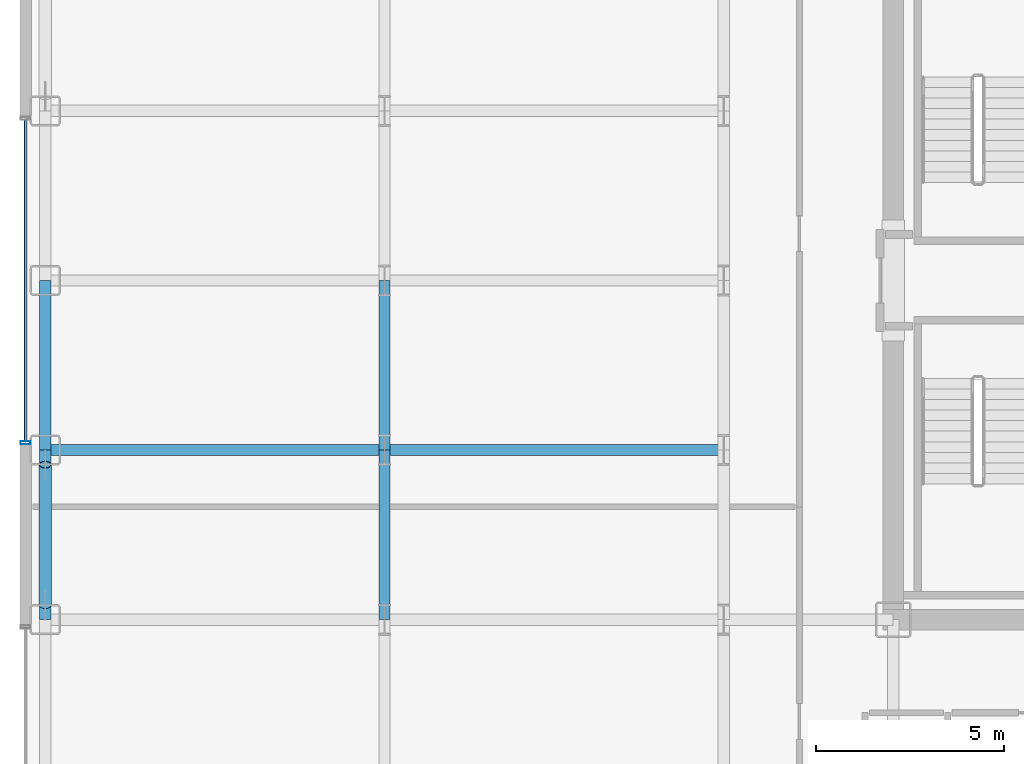
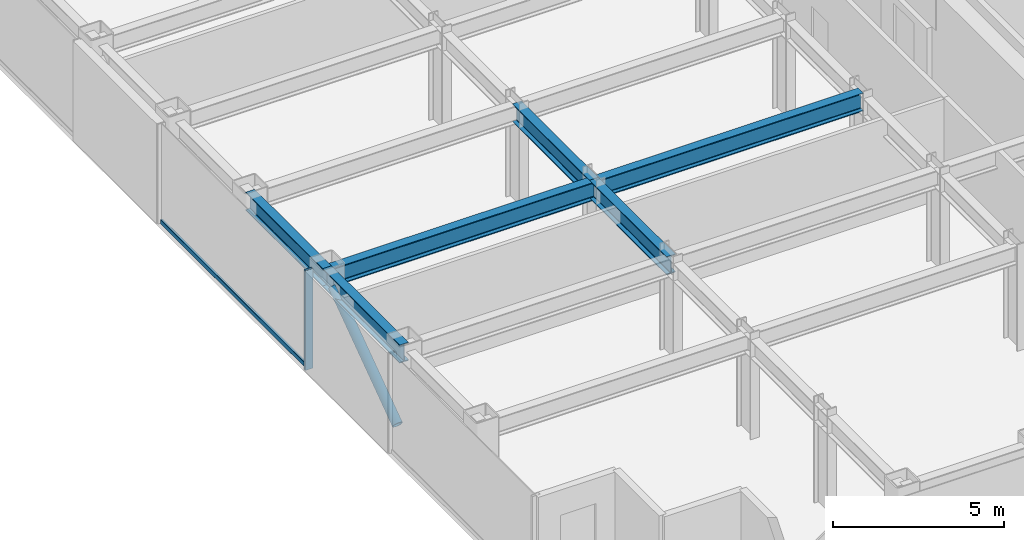
# One storey, part 6 of 26: 6 beams, 3 members, 1 element without a shape of its own.
"""IFC4 building model written with IfcOpenShell, lengths in metres."""

import ifcopenshell
import ifcopenshell.guid

model = None  # the IFC model being written
_history = None  # IfcOwnerHistory: only IFC2X3 demands one
_inside = {}  # id of a spatial element -> (the spatial element, [elements in it])
_under = {}  # id of a project, library or spatial element -> (it, [spatial elements below it])
_declared = {}  # id of a project -> (the project, [libraries it declares])
_typed = {}  # id of a type object -> (the type object, [elements of that type])
_made_of = {}  # id of a material, layer set ... -> (it, [elements and type objects made of it])


def new_model(schema):
    """Start an empty IFC model of exactly this schema.

    Asked for "IFC4X3", IfcOpenShell would pick the latest addendum, in which some entities
    have other attributes; the version numbers below select the first issue.
    IFC2X3 requires an IfcOwnerHistory on every rooted entity: one is made here for all.
    """
    global model, _history
    if schema == "IFC4X3":
        model = ifcopenshell.file(schema_version=(4, 3, 0, 0))
    else:
        model = ifcopenshell.file(schema=schema)
    _inside.clear()
    _under.clear()
    _declared.clear()
    _typed.clear()
    _made_of.clear()
    _history = None
    if model.schema == "IFC2X3":
        org = make("IfcOrganization", Name="unknown")
        user = make(
            "IfcPersonAndOrganization",
            ThePerson=make("IfcPerson", FamilyName="unknown"),
            TheOrganization=org,
        )
        app = make(
            "IfcApplication",
            ApplicationDeveloper=org,
            Version="unknown",
            ApplicationFullName="unknown",
            ApplicationIdentifier="unknown",
        )
        _history = make(
            "IfcOwnerHistory",
            OwningUser=user,
            OwningApplication=app,
            ChangeAction="ADDED",
            CreationDate=0,
        )
    return model


def make(cls, **values):
    """One entity of the class cls with the attributes given. An attribute that is None is left unset."""
    return model.create_entity(
        cls, **{name: value for name, value in values.items() if value is not None}
    )


def rooted(cls, **values):
    """An entity with a GlobalId (a new one), such as an element, a storey or a relation."""
    return make(cls, GlobalId=ifcopenshell.guid.new(), OwnerHistory=_history, **values)


def si_unit(unit_type, name, prefix=None):
    """IfcSIUnit, for example si_unit("LENGTHUNIT", "METRE", prefix="MILLI")."""
    return make("IfcSIUnit", UnitType=unit_type, Prefix=prefix, Name=name)


def assignment(units):
    """IfcUnitAssignment: the units of a project."""
    return None if units is None else make("IfcUnitAssignment", Units=units)


def point(xyz):
    """IfcCartesianPoint."""
    return None if xyz is None else make("IfcCartesianPoint", Coordinates=xyz)


def direction(xyz):
    """IfcDirection."""
    return None if xyz is None else make("IfcDirection", DirectionRatios=xyz)


def frame(location, z_axis=None, x_axis=None):
    """IfcAxis2Placement3D, a coordinate frame: its origin and axes. An axis left out is left unset."""
    return make(
        "IfcAxis2Placement3D",
        Location=point(location),
        Axis=direction(z_axis),
        RefDirection=direction(x_axis),
    )


def frame_2d(location, x_axis=None):
    """IfcAxis2Placement2D, a coordinate frame in the plane: its origin and x axis."""
    return make(
        "IfcAxis2Placement2D", Location=point(location), RefDirection=direction(x_axis)
    )


def origin():
    """The frame at (0, 0, 0) with its axes left unset."""
    return frame((0.0, 0.0, 0.0))


def origin_2d():
    """The frame at (0, 0) in the plane with its x axis left unset."""
    return frame_2d((0.0, 0.0))


def place(relative_to, where):
    """IfcLocalPlacement: puts the frame where relative to a parent placement (None: the world)."""
    return make(
        "IfcLocalPlacement", PlacementRelTo=relative_to, RelativePlacement=where
    )


def context(
    kind, dimensions, precision=None, world=None, true_north=None, identifier=None
):
    """IfcGeometricRepresentationContext, for example the 3D "Model" context."""
    return make(
        "IfcGeometricRepresentationContext",
        ContextIdentifier=identifier,
        ContextType=kind,
        CoordinateSpaceDimension=dimensions,
        Precision=precision,
        WorldCoordinateSystem=world,
        TrueNorth=true_north,
    )


def subcontext(parent, identifier, kind, view, scale=None):
    """IfcGeometricRepresentationSubContext, for example "Body" below "Model"."""
    return make(
        "IfcGeometricRepresentationSubContext",
        ContextIdentifier=identifier,
        ContextType=kind,
        ParentContext=parent,
        TargetScale=scale,
        TargetView=view,
    )


def project(units=None, contexts=None):
    """IfcProject with its units and contexts."""
    return rooted(
        "IfcProject",
        Name="project",
        RepresentationContexts=contexts,
        UnitsInContext=assignment(units),
    )


def spatial(cls, under=None, at=None, **own):
    """A site, building, storey or space (cls), placed at a placement, below another one or the project."""
    s = rooted(cls, ObjectPlacement=at, **own)
    if under is not None:
        _under.setdefault(under.id(), (under, []))[1].append(s)
    return s


def profile(cls, at=None, kind="AREA", **sizes):
    """A parametric profile (cls). Its sizes go by their IFC names, for example OverallWidth=200.0."""
    return make(cls, ProfileType=kind, Position=at, **sizes)


def hollow_rectangle(**sizes):
    """IfcRectangleHollowProfileDef."""
    return profile("IfcRectangleHollowProfileDef", **sizes)


def hollow_circle(**sizes):
    """IfcCircleHollowProfileDef."""
    return profile("IfcCircleHollowProfileDef", **sizes)


def i_section(**sizes):
    """IfcIShapeProfileDef."""
    return profile("IfcIShapeProfileDef", **sizes)


def extrude(swept, where, along, depth):
    """IfcExtrudedAreaSolid: the profile swept, set in the frame where, extruded along a direction by depth."""
    return make(
        "IfcExtrudedAreaSolid",
        SweptArea=swept,
        Position=where,
        ExtrudedDirection=direction(along),
        Depth=depth,
    )


def shape(context_of_items, identifier, shape_type, items):
    """IfcShapeRepresentation: the items that make up one representation, for example the "Body"."""
    return make(
        "IfcShapeRepresentation",
        ContextOfItems=context_of_items,
        RepresentationIdentifier=identifier,
        RepresentationType=shape_type,
        Items=items,
    )


def source(mapping_origin, context_of_items, identifier, shape_type, items):
    """IfcRepresentationMap: a shape defined once, which mapped items show again and again."""
    return make(
        "IfcRepresentationMap",
        MappingOrigin=mapping_origin,
        MappedRepresentation=shape(context_of_items, identifier, shape_type, items),
    )


def transform(
    local_origin,
    x_axis=None,
    y_axis=None,
    z_axis=None,
    scale=None,
    scale2=None,
    scale3=None,
    uniform=True,
):
    """IfcCartesianTransformationOperator3D, or its non-uniform kind. x_axis, y_axis, z_axis: its Axis1, 2, 3."""
    if uniform:
        return make(
            "IfcCartesianTransformationOperator3D",
            Axis1=direction(x_axis),
            Axis2=direction(y_axis),
            LocalOrigin=point(local_origin),
            Scale=scale,
            Axis3=direction(z_axis),
        )
    return make(
        "IfcCartesianTransformationOperator3DnonUniform",
        Axis1=direction(x_axis),
        Axis2=direction(y_axis),
        LocalOrigin=point(local_origin),
        Scale=scale,
        Axis3=direction(z_axis),
        Scale2=scale2,
        Scale3=scale3,
    )


def mapped(mapping_source, mapping_target):
    """IfcMappedItem: shows the shape of a source again, moved by a transform."""
    return make(
        "IfcMappedItem", MappingSource=mapping_source, MappingTarget=mapping_target
    )


def material(Name=None, Category=None):
    """IfcMaterial."""
    return make("IfcMaterial", Name=Name, Category=Category)


def layer(
    of_material, thickness, ventilated=None, Name=None, Category=None, Priority=None
):
    """IfcMaterialLayer: one layer of a wall or slab, of a material (None: an air gap)."""
    return make(
        "IfcMaterialLayer",
        Material=of_material,
        LayerThickness=thickness,
        IsVentilated=ventilated,
        Name=Name,
        Category=Category,
        Priority=Priority,
    )


def layer_set(layers, Name=None):
    """IfcMaterialLayerSet."""
    return make("IfcMaterialLayerSet", MaterialLayers=layers, LayerSetName=Name)


def material_profile(
    of_material, cross_section, Name=None, Category=None, Priority=None
):
    """IfcMaterialProfile: a cross section and its material."""
    return make(
        "IfcMaterialProfile",
        Name=Name,
        Material=of_material,
        Profile=cross_section,
        Priority=Priority,
        Category=Category,
    )


def profile_set(profiles, Name=None, composite=None):
    """IfcMaterialProfileSet."""
    return make(
        "IfcMaterialProfileSet",
        Name=Name,
        MaterialProfiles=profiles,
        CompositeProfile=composite,
    )


def made_of(thing, what):
    """Note that an element or type object is made of a material, layer set ...; save() writes the relation."""
    if what is not None:
        _made_of.setdefault(what.id(), (what, []))[1].append(thing)
    return thing


def type_object(cls, material=None, **own):
    """A type object (cls), such as IfcWallType, which elements share."""
    return made_of(rooted(cls, **own), material)


def element(
    cls,
    number,
    at=None,
    inside=None,
    cuts=None,
    type_object=None,
    material=None,
    context=None,
    identifier="Body",
    shape_type=None,
    held_by="IfcProductDefinitionShape",
    body=None,
    shapes=None,
    **own,
):
    """One element of the class cls, such as IfcWall. Its Tag is "e" and its number.

    at: its placement. inside: the storey or other place that contains it. cuts: it is an
    opening in that element (IfcRelVoidsElement). A single representation is given by context,
    identifier, shape_type and body (its items); several are given by shapes. held_by: the class
    of the entity that holds the representations. save() writes the other relations.
    """
    e = rooted(cls, Tag="e%d" % number, ObjectPlacement=at, **own)
    if body is not None:
        shapes = [shape(context, identifier, shape_type, body)]
    if shapes is not None:
        e.Representation = make(held_by, Representations=shapes)
    if inside is not None:
        _inside.setdefault(inside.id(), (inside, []))[1].append(e)
    if cuts is not None:
        rooted(
            "IfcRelVoidsElement", RelatingBuildingElement=cuts, RelatedOpeningElement=e
        )
    if type_object is not None:
        _typed.setdefault(type_object.id(), (type_object, []))[1].append(e)
    return made_of(e, material)


def aggregate(whole, parts):
    """IfcRelAggregates: a whole, such as a stair, and the parts it consists of."""
    return rooted("IfcRelAggregates", RelatingObject=whole, RelatedObjects=parts)


def save(model, path):
    """Write the relations noted so far, then the file.

    IfcRelAggregates (storeys below a building ...), IfcRelContainedInSpatialStructure (elements
    in a storey), IfcRelDefinesByType, IfcRelAssociatesMaterial and IfcRelDeclares: one each for
    every whole, place, type object, material and project.
    """
    for whole, parts in _under.values():
        aggregate(whole, parts)
    for where, things in _inside.values():
        rooted(
            "IfcRelContainedInSpatialStructure",
            RelatedElements=things,
            RelatingStructure=where,
        )
    for kind, things in _typed.values():
        rooted("IfcRelDefinesByType", RelatedObjects=things, RelatingType=kind)
    for what, things in _made_of.values():
        rooted("IfcRelAssociatesMaterial", RelatedObjects=things, RelatingMaterial=what)
    for by, libraries in _declared.values():
        rooted("IfcRelDeclares", RelatingContext=by, RelatedDefinitions=libraries)
    model.write(path)


model = new_model("IFC4")

# Units and contexts
model_context = context("Model", 3, precision=1e-05, world=origin(), true_north=direction((0.0, 1.0)))
body_context = subcontext(model_context, "Body", "Model", "MODEL_VIEW")
ifc_project = project(units=[si_unit("LENGTHUNIT", "METRE"), si_unit("AREAUNIT", "SQUARE_METRE"), si_unit("VOLUMEUNIT", "CUBIC_METRE"), si_unit("PLANEANGLEUNIT", "RADIAN"), si_unit("MASSUNIT", "GRAM", prefix="KILO")], contexts=[model_context])

# Site, building, storey
site_placement = place(None, origin())
site = spatial("IfcSite", under=ifc_project, at=site_placement, CompositionType="ELEMENT")
building_placement = place(site_placement, origin())
building = spatial("IfcBuilding", under=site, at=building_placement, Name="Nefas-Gora Pilgrimage Tower", CompositionType="ELEMENT")
storey_placement = place(building_placement, frame((0.0, 0.0, 171.60009765625)))
storey = spatial("IfcBuildingStorey", under=building, at=storey_placement, Name="L42", CompositionType="ELEMENT", Elevation=171.60009765625)

# Beams
ifc_material_1 = material(Name="Steel S355", Category="steel")
ifc_material_profile_1 = material_profile(ifc_material_1, i_section(OverallWidth=0.300048828125, OverallDepth=0.64990234375, WebThickness=0.01611328125, FlangeThickness=0.031005859375, FilletRadius=0.027099609375, at=origin_2d()), Name="HEB 650")
ifc_profile_set_1 = profile_set([ifc_material_profile_1], Name="Steel S355")
beam_type_1 = type_object("IfcBeamType", Name="BM-SPN-HEB500", PredefinedType="SPANDREL", material=ifc_profile_set_1)
shared_shape_1 = source(origin(), body_context, "Body", "SweptSolid", [
    extrude(i_section(OverallWidth=0.300048828125, OverallDepth=0.64990234375, WebThickness=0.01611328125, FlangeThickness=0.031005859375, FilletRadius=0.027099609375, at=origin_2d()), origin(), (0.0, 0.0, 1.0), 4.5),
])
for number, where, z_axis, x_axis, name in (
    (1, (-33.75, -9.0, 3.224853515625), (0.0, 1.0, 0.0), (-1.0, 0.0, 0.0), "L42 SP-02 beam"),
    (2, (-33.75, -4.5, 3.224853515625), (0.0, 1.0, 0.0), (-1.0, 0.0, 0.0), "L42 SP-02 beam"),
):
    element("IfcBeam", number, at=place(storey_placement, frame(where, z_axis=z_axis, x_axis=x_axis)), inside=storey, type_object=beam_type_1, Name=name, PredefinedType="SPANDREL", context=body_context, shape_type="MappedRepresentation", body=[
        mapped(shared_shape_1, transform((0.0, 0.0, 0.0), x_axis=(1.0, 0.0, 0.0), y_axis=(0.0, 1.0, 0.0), z_axis=(0.0, 0.0, 1.0), scale=1.0)),
    ])
ifc_material_profile_2 = material_profile(ifc_material_1, i_section(OverallWidth=0.300048828125, OverallDepth=0.64990234375, WebThickness=0.01611328125, FlangeThickness=0.031005859375, FilletRadius=0.027099609375, at=origin_2d()), Name="HEB 650")
ifc_profile_set_2 = profile_set([ifc_material_profile_2], Name="Steel S355")
beam_type_2 = type_object("IfcBeamType", Name="BM-GIR-HEB650", PredefinedType="BEAM", material=ifc_profile_set_2)
shared_shape_2 = source(origin(), body_context, "Body", "SweptSolid", [
    extrude(i_section(OverallWidth=0.300048828125, OverallDepth=0.64990234375, WebThickness=0.01611328125, FlangeThickness=0.031005859375, FilletRadius=0.027099609375, at=origin_2d()), origin(), (0.0, 0.0, 1.0), 9.0),
])
for number, where, z_axis, x_axis, name in (
    (3, (-33.75, -4.5, 3.224853515625), (1.0, 0.0, 0.0), (0.0, 1.0, 0.0), "L42 G-03 beam"),
    (4, (-24.75, -4.5, 3.224853515625), (1.0, 0.0, 0.0), (0.0, 1.0, 0.0), "L42 G-03 beam"),
):
    element("IfcBeam", number, at=place(storey_placement, frame(where, z_axis=z_axis, x_axis=x_axis)), inside=storey, type_object=beam_type_2, Name=name, PredefinedType="BEAM", context=body_context, shape_type="MappedRepresentation", body=[
        mapped(shared_shape_2, transform((0.0, 0.0, 0.0), x_axis=(1.0, 0.0, 0.0), y_axis=(0.0, 1.0, 0.0), z_axis=(0.0, 0.0, 1.0), scale=1.0)),
    ])
shared_shape_3 = source(origin(), body_context, "Body", "SweptSolid", [
    extrude(i_section(OverallWidth=0.300048828125, OverallDepth=0.64990234375, WebThickness=0.01611328125, FlangeThickness=0.031005859375, FilletRadius=0.027099609375, at=origin_2d()), origin(), (0.0, 0.0, 1.0), 4.5),
])
for number, where, z_axis, x_axis, name in (
    (5, (-24.75, -9.0, 3.224853515625), (0.0, 1.0, 0.0), (-1.0, 0.0, 0.0), "L42 G-03 beam"),
    (6, (-24.75, -4.5, 3.224853515625), (0.0, 1.0, 0.0), (-1.0, 0.0, 0.0), "L42 G-03 beam"),
):
    element("IfcBeam", number, at=place(storey_placement, frame(where, z_axis=z_axis, x_axis=x_axis)), inside=storey, type_object=beam_type_2, Name=name, PredefinedType="BEAM", context=body_context, shape_type="MappedRepresentation", body=[
        mapped(shared_shape_3, transform((0.0, 0.0, 0.0), x_axis=(1.0, 0.0, 0.0), y_axis=(0.0, 1.0, 0.0), z_axis=(0.0, 0.0, 1.0), scale=1.0)),
    ])

# Member
ifc_material_profile_3 = material_profile(ifc_material_1, hollow_circle(Radius=0.161865234375, WallThickness=0.02001953125, at=origin_2d()), Name="CHS 323.9x20")
ifc_profile_set_3 = profile_set([ifc_material_profile_3], Name="Steel S355")
member_type_1 = type_object("IfcMemberType", Name="MEM-TUBE-324", PredefinedType="BRACE", material=ifc_profile_set_3)
shared_shape_4 = source(origin(), body_context, "Body", "SweptSolid", [
    extrude(hollow_circle(Radius=0.161865234375, WallThickness=0.02001953125, at=origin_2d()), origin(), (0.0, 0.0, 1.0), 4.579345703125),
])
member_1_placement = place(storey_placement, frame((-33.75, -8.612060546875, 0.427490234375), z_axis=(0.0, 0.813246879171, 0.581918820385), x_axis=(-1.0, 0.0, 0.0)))
element("IfcMember", 7, at=member_1_placement, inside=storey, type_object=member_type_1, Name="L42 Perimeter Tube Diagonal Brace W1", PredefinedType="BRACE", context=body_context, shape_type="MappedRepresentation", body=[
    mapped(shared_shape_4, transform((0.0, 0.0, 0.0), x_axis=(1.0, 0.0, 0.0), y_axis=(0.0, 1.0, 0.0), z_axis=(0.0, 0.0, 1.0), scale=1.0)),
])

# Curtain wall, members
ifc_material_2 = material(Name="Dark ceramic-fritted solar-control aluminium-glass curtain wall", Category="aluminium")
ifc_layer = layer(ifc_material_2, 0.219970703125)
ifc_layer_set = layer_set([ifc_layer], Name="Dark ceramic-fritted solar-control aluminium-glass curtain wall")
curtain_wall_type = type_object("IfcCurtainWallType", Name="CW-SYS-3", PredefinedType="NOTDEFINED", material=ifc_layer_set)
curtain_wall_placement = place(storey_placement, origin())
curtain_wall = element("IfcCurtainWall", 8, at=curtain_wall_placement, inside=storey, type_object=curtain_wall_type, Name="L42 Unitised Curtain Wall CW3", PredefinedType="NOTDEFINED")
ifc_material_3 = material(Name="Anodised architectural aluminium", Category="aluminium")
ifc_material_profile_4 = material_profile(ifc_material_3, hollow_rectangle(XDim=0.080078125, YDim=0.159912109375, WallThickness=0.00439453125, InnerFilletRadius=0.00439453125, OuterFilletRadius=0.009033203125, at=origin_2d()), Name="ALU TRANSOM 80x160")
ifc_profile_set_4 = profile_set([ifc_material_profile_4], Name="Anodised architectural aluminium")
member_type_2 = type_object("IfcMemberType", Name="CWM-TRN-3", PredefinedType="USERDEFINED", material=ifc_profile_set_4)
shared_shape_5 = source(origin(), body_context, "Body", "SweptSolid", [
    extrude(hollow_rectangle(XDim=0.080078125, YDim=0.159912109375, WallThickness=0.00439453125, InnerFilletRadius=0.00439453125, OuterFilletRadius=0.009033203125, at=origin_2d()), origin(), (0.0, 0.0, 1.0), 8.52001953125),
])
member_2_placement = place(storey_placement, frame((-34.27001953125, 4.260009765625, 0.0498046875), z_axis=(0.0, -1.0, 0.0), x_axis=(1.0, 0.0, 0.0)))
member_2 = element("IfcMember", 9, at=member_2_placement, type_object=member_type_2, Name="CW3 Spandrel Transom", ObjectType="TRANSOM", PredefinedType="USERDEFINED", context=body_context, shape_type="MappedRepresentation", body=[
    mapped(shared_shape_5, transform((0.0, 0.0, 0.0), x_axis=(1.0, 0.0, 0.0), y_axis=(0.0, 1.0, 0.0), z_axis=(0.0, 0.0, 1.0), scale=1.0)),
])
ifc_material_profile_5 = material_profile(ifc_material_3, hollow_rectangle(XDim=0.090087890625, YDim=0.260009765625, WallThickness=0.006103515625, InnerFilletRadius=0.006103515625, OuterFilletRadius=0.011962890625, at=origin_2d()), Name="ALU MULLION 90x260")
ifc_profile_set_5 = profile_set([ifc_material_profile_5], Name="Anodised architectural aluminium")
member_type_3 = type_object("IfcMemberType", Name="CWM-MUL-3", PredefinedType="MULLION", material=ifc_profile_set_5)
shared_shape_6 = source(origin(), body_context, "Body", "SweptSolid", [
    extrude(hollow_rectangle(XDim=0.090087890625, YDim=0.260009765625, WallThickness=0.006103515625, InnerFilletRadius=0.006103515625, OuterFilletRadius=0.011962890625, at=origin_2d()), origin(), (0.0, 0.0, 1.0), 3.5498046875),
])
member_3_placement = place(storey_placement, frame((-34.27001953125, -4.304931640625, 0.0), z_axis=(0.0, 0.0, 1.0), x_axis=(0.0, -1.0, 0.0)))
member_3 = element("IfcMember", 10, at=member_3_placement, type_object=member_type_3, Name="CW3 Mullion 2", PredefinedType="MULLION", context=body_context, shape_type="MappedRepresentation", body=[
    mapped(shared_shape_6, transform((0.0, 0.0, 0.0), x_axis=(1.0, 0.0, 0.0), y_axis=(0.0, 1.0, 0.0), z_axis=(0.0, 0.0, 1.0), scale=1.0)),
])
aggregate(curtain_wall, [member_3, member_2])

save(model, "model.ifc")
